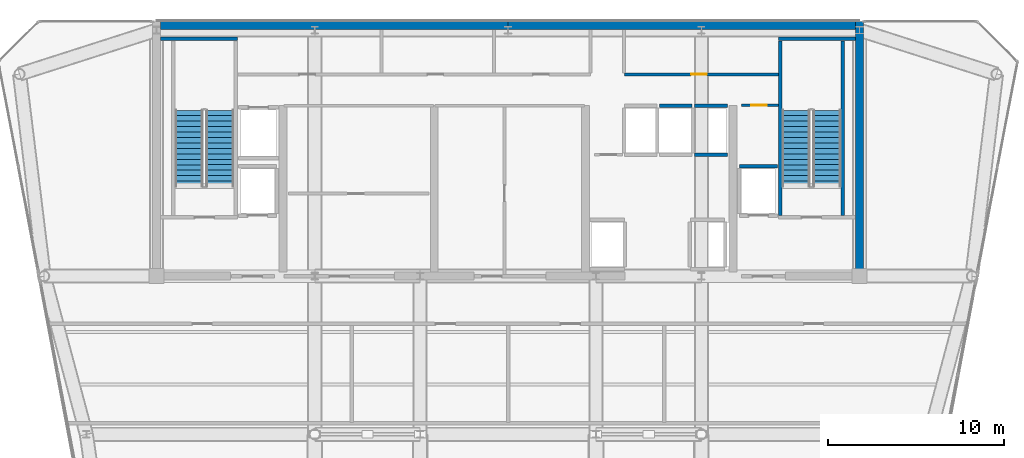
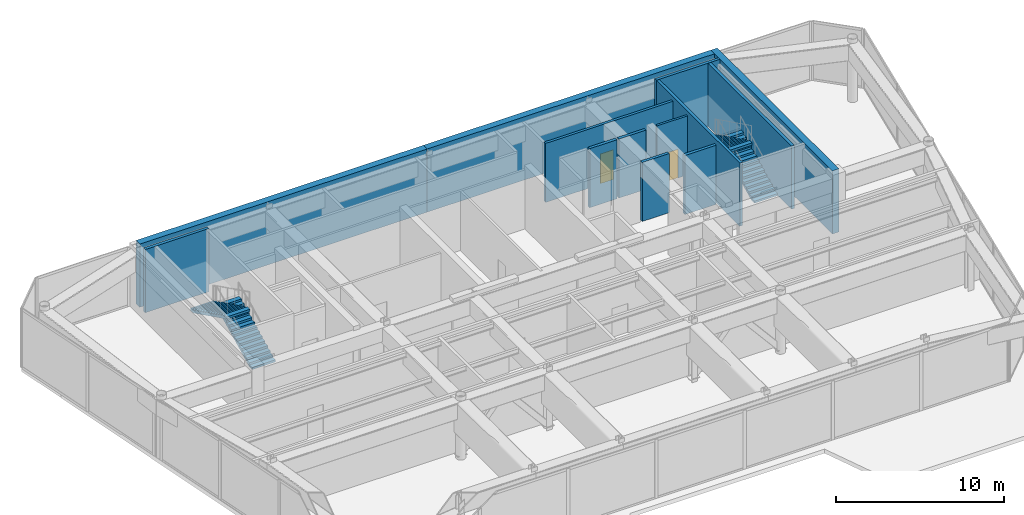
# One storey, part 11 of 14: 13 walls, 4 stair flights, 2 doors, 2 openings, 2 elements without a shape of their own.
"""IFC4 building model written with IfcOpenShell, lengths in metres."""

from ifc_helpers import new_model, si_unit, direction, frame, frame_2d, origin, place, context, subcontext, project, spatial, polyline, rectangle, outline, extrude, source, transform, mapped, material, layer, layer_set, type_object, element, fill, aggregate, save


model = new_model("IFC4")

# Units and contexts
model_context = context("Model", 3, precision=1e-05, world=origin(), true_north=direction((0.0, 1.0)))
body_context = subcontext(model_context, "Body", "Model", "MODEL_VIEW")
ifc_project = project(units=[si_unit("LENGTHUNIT", "METRE"), si_unit("AREAUNIT", "SQUARE_METRE"), si_unit("VOLUMEUNIT", "CUBIC_METRE"), si_unit("PLANEANGLEUNIT", "RADIAN"), si_unit("MASSUNIT", "GRAM", prefix="KILO")], contexts=[model_context])

# Site, building, storey
site_placement = place(None, origin())
site = spatial("IfcSite", under=ifc_project, at=site_placement, CompositionType="ELEMENT")
building_placement = place(site_placement, origin())
building = spatial("IfcBuilding", under=site, at=building_placement, Name="Vaeldorn Concourse Tower", CompositionType="ELEMENT")
storey_placement = place(building_placement, frame((0.0, 0.0, 303.800048828125)))
storey = spatial("IfcBuildingStorey", under=building, at=storey_placement, Name="L78", CompositionType="ELEMENT", Elevation=303.800048828125)

# Walls
ifc_material_1 = material(Name="Concrete C50/60", Category="concrete")
ifc_layer_1 = layer(ifc_material_1, 0.449951171875)
ifc_layer_set_1 = layer_set([ifc_layer_1], Name="Concrete C50/60")
wall_type_1 = type_object("IfcWallType", Name="WL-CORE-450", PredefinedType="SHEAR", material=ifc_layer_set_1)
for number, where, z_axis, x_axis, name in (
    (1, (14.22900390625, 50.77490234375, 0.0), (0.0, 0.0, 1.0), (1.0, 0.0, 0.0), "Rear Core Shear Wall L78 N1"),
    (2, (34.001953125, 50.77490234375, 0.0), (0.0, 0.0, 1.0), (1.0, 0.0, 0.0), "Rear Core Shear Wall L78 N2"),
):
    element("IfcWall", number, at=place(storey_placement, frame(where, z_axis=z_axis, x_axis=x_axis)), inside=storey, type_object=wall_type_1, Name=name, PredefinedType="SHEAR", context=body_context, shape_type="SweptSolid", body=[
        extrude(rectangle(XDim=19.76904296875, YDim=0.449951171875, at=frame_2d((9.884521484375, 0.0))), origin(), (0.0, 0.0, 1.0), 4.599853515625),
    ])
wall_1_placement = place(storey_placement, frame((54.0, 36.5, 0.0), z_axis=(0.0, 0.0, 1.0), x_axis=(0.0, 1.0, 0.0)))
element("IfcWall", 3, at=wall_1_placement, inside=storey, type_object=wall_type_1, Name="Rear Core Shear Wall L78 E1", PredefinedType="SHEAR", context=body_context, shape_type="SweptSolid", body=[
    extrude(rectangle(XDim=14.5, YDim=0.449951171875, at=frame_2d((7.25, 0.0))), origin(), (0.0, 0.0, 1.0), 4.599853515625),
])

# Wall, opening, door
ifc_material_2 = material(Name="Gypsum Board Partition", Category="gypsum")
ifc_layer_2 = layer(ifc_material_2, 0.14990234375)
ifc_layer_set_2 = layer_set([ifc_layer_2], Name="Gypsum Board Partition")
wall_type_2 = type_object("IfcWallType", Name="WL-PART-150", PredefinedType="PARTITIONING", material=ifc_layer_set_2)
wall_2_placement = place(storey_placement, frame((47.280029296875, 46.219970703125, 0.0), z_axis=(0.0, 0.0, 1.0), x_axis=(1.0, 0.0, 0.0)))
wall_2 = element("IfcWall", 4, at=wall_2_placement, inside=storey, type_object=wall_type_2, Name="Interior Wall CW-L78-CRSE-N", PredefinedType="PARTITIONING", context=body_context, shape_type="SweptSolid", body=[
    extrude(rectangle(XDim=2.099853515625, YDim=0.14990234375, at=frame_2d((1.0498046875, 0.0))), origin(), (0.0, 0.0, 1.0), 4.300048828125),
])
opening_1_placement = place(wall_2_placement, frame((0.550048828125, 0.0, 0.0)))
opening_1 = element("IfcOpeningElement", 5, at=opening_1_placement, cuts=wall_2, Name="Opening D-02", PredefinedType="OPENING", context=body_context, shape_type="SweptSolid", body=[
    extrude(rectangle(XDim=0.89990234375, YDim=2.10009765625, at=frame_2d((0.449951171875, 1.050048828125))), frame((0.0, 0.0849609375, 0.0), z_axis=(0.0, -1.0, 0.0), x_axis=(1.0, 0.0, 0.0)), (0.0, 0.0, 1.0), 0.169921875),
])
ifc_material_3 = material(Name="Fire-Rated Timber Leaf", Category="wood")
door_type_1 = type_object("IfcDoorType", Name="DR-FD30-900", OperationType="NOTDEFINED", PredefinedType="DOOR", material=ifc_material_3)
shared_shape_1 = source(origin(), body_context, "Body", "SweptSolid", [
    extrude(rectangle(XDim=0.89990234375, YDim=2.10009765625, at=frame_2d((0.449951171875, 1.050048828125))), frame((0.0, 0.02490234375, 0.0), z_axis=(0.0, -1.0, 0.0), x_axis=(1.0, 0.0, 0.0)), (0.0, 0.0, 1.0), 0.050048828125),
])
door_1_placement = place(opening_1_placement, origin())
door_1 = element("IfcDoor", 6, at=door_1_placement, inside=storey, type_object=door_type_1, Name="Interior Door DR-L78-CRSE", OperationType="SINGLE_SWING_RIGHT", OverallHeight=2.10009765625, OverallWidth=0.89990234375, PredefinedType="DOOR", context=body_context, shape_type="MappedRepresentation", body=[
    mapped(shared_shape_1, transform((0.0, 0.0, 0.0), scale=1.0)),
])
fill(opening_1, door_1)

ifc_layer_3 = layer(ifc_material_2, 0.179931640625)
ifc_layer_set_3 = layer_set([ifc_layer_3], Name="Gypsum Board Partition")
wall_type_3 = type_object("IfcWallType", Name="WL-PLUMB-180", PredefinedType="PLUMBINGWALL", material=ifc_layer_set_3)
wall_3_placement = place(storey_placement, frame((40.6201171875, 47.97998046875, 0.0), z_axis=(0.0, 0.0, 1.0), x_axis=(1.0, 0.0, 0.0)))
wall_3 = element("IfcWall", 7, at=wall_3_placement, inside=storey, type_object=wall_type_3, Name="Interior Wall CW-L78-NS1E", PredefinedType="PLUMBINGWALL", context=body_context, shape_type="SweptSolid", body=[
    extrude(rectangle(XDim=8.759765625, YDim=0.179931640625, at=frame_2d((4.3798828125, 0.0))), origin(), (0.0, 0.0, 1.0), 4.300048828125),
])
opening_2_placement = place(wall_3_placement, frame((3.800048828125, 0.0, 0.0)))
opening_2 = element("IfcOpeningElement", 8, at=opening_2_placement, cuts=wall_3, Name="Opening D-03", PredefinedType="OPENING", context=body_context, shape_type="SweptSolid", body=[
    extrude(rectangle(XDim=0.89990234375, YDim=2.14990234375, at=frame_2d((0.449951171875, 1.074951171875))), frame((0.0, 0.10009765625, 0.0), z_axis=(0.0, -1.0, 0.0), x_axis=(1.0, 0.0, 0.0)), (0.0, 0.0, 1.0), 0.199951171875),
])
ifc_material_4 = material(Name="Acoustic Bronze-Framed Glass Door", Category="glass")
door_type_2 = type_object("IfcDoorType", Name="DR-INT-900", OperationType="NOTDEFINED", PredefinedType="DOOR", material=ifc_material_4)
shared_shape_2 = source(origin(), body_context, "Body", "SweptSolid", [
    extrude(rectangle(XDim=0.89990234375, YDim=2.14990234375, at=frame_2d((0.449951171875, 1.074951171875))), frame((0.0, 0.02490234375, 0.0), z_axis=(0.0, -1.0, 0.0), x_axis=(1.0, 0.0, 0.0)), (0.0, 0.0, 1.0), 0.050048828125),
])
door_2_placement = place(opening_2_placement, origin())
door_2 = element("IfcDoor", 9, at=door_2_placement, inside=storey, type_object=door_type_2, Name="Interior Door DR-L78-CS4", OperationType="SINGLE_SWING_RIGHT", OverallHeight=2.14990234375, OverallWidth=0.89990234375, PredefinedType="DOOR", context=body_context, shape_type="MappedRepresentation", body=[
    mapped(shared_shape_2, transform((0.0, 0.0, 0.0), scale=1.0)),
])
fill(opening_2, door_2)

# Walls
ifc_layer_4 = layer(ifc_material_1, 0.199951171875)
ifc_layer_set_4 = layer_set([ifc_layer_4], Name="Concrete C50/60")
wall_type_4 = type_object("IfcWallType", Name="WL-SHAFT-200", PredefinedType="SOLIDWALL", material=ifc_layer_set_4)
for number, where, z_axis, x_axis, name in (
    (10, (14.22509765625, 50.0, 0.0), (0.0, 0.0, 1.0), (1.0, 0.0, 0.0), "Stair Shaft Wall CW-L78-ST-1-N"),
    (11, (49.39990234375, 50.0, 0.0), (0.0, 0.0, 1.0), (1.0, 0.0, 0.0), "Stair Shaft Wall CW-L78-ST-2-N"),
):
    element("IfcWall", number, at=place(storey_placement, frame(where, z_axis=z_axis, x_axis=x_axis)), inside=storey, type_object=wall_type_4, Name=name, PredefinedType="SOLIDWALL", context=body_context, shape_type="SweptSolid", body=[
        extrude(rectangle(XDim=4.375, YDim=0.199951171875, at=frame_2d((2.1875, 0.0))), origin(), (0.0, 0.0, 1.0), 4.599853515625),
    ])
for number, where, z_axis, x_axis, name in (
    (12, (49.5, 39.9599609375, 0.0), (0.0, 0.0, 1.0), (0.0, 1.0, 0.0), "Stair Shaft Wall CW-L78-ST-2-W"),
    (13, (53.050048828125, 39.9599609375, 0.0), (0.0, 0.0, 1.0), (0.0, 1.0, 0.0), "Stair Shaft Wall CW-L78-ST-2-E"),
):
    element("IfcWall", number, at=place(storey_placement, frame(where, z_axis=z_axis, x_axis=x_axis)), inside=storey, type_object=wall_type_4, Name=name, PredefinedType="SOLIDWALL", context=body_context, shape_type="SweptSolid", body=[
        extrude(rectangle(XDim=9.929931640625, YDim=0.199951171875, at=frame_2d((4.96484375, 0.0))), origin(), (0.0, 0.0, 1.0), 4.599853515625),
    ])
for number, where, z_axis, x_axis, name in (
    (14, (42.6201171875, 46.199951171875, 0.0), (0.0, 0.0, 1.0), (1.0, 0.0, 0.0), "Interior Wall CW-L78-LFB-LF-16"),
    (15, (44.6201171875, 43.39990234375, 0.0), (0.0, 0.0, 1.0), (1.0, 0.0, 0.0), "Interior Wall CW-L78-LF-LF-17"),
    (16, (44.6201171875, 46.199951171875, 0.0), (0.0, 0.0, 1.0), (1.0, 0.0, 0.0), "Interior Wall CW-L78-LFB-LF-17"),
):
    element("IfcWall", number, at=place(storey_placement, frame(where, z_axis=z_axis, x_axis=x_axis)), inside=storey, type_object=wall_type_4, Name=name, PredefinedType="SOLIDWALL", context=body_context, shape_type="SweptSolid", body=[
        extrude(rectangle(XDim=1.85986328125, YDim=0.199951171875, at=frame_2d((0.929931640625, 0.0))), origin(), (0.0, 0.0, 1.0), 4.300048828125),
    ])
wall_4_placement = place(storey_placement, frame((47.169921875, 42.75, 0.0), z_axis=(0.0, 0.0, 1.0), x_axis=(1.0, 0.0, 0.0)))
element("IfcWall", 17, at=wall_4_placement, inside=storey, type_object=wall_type_4, Name="Interior Wall CW-L78-LFB-LF-FF2", PredefinedType="SOLIDWALL", context=body_context, shape_type="SweptSolid", body=[
    extrude(rectangle(XDim=2.16015625, YDim=0.199951171875, at=frame_2d((1.080078125, 0.0))), origin(), (0.0, 0.0, 1.0), 4.300048828125),
])

# Stair, stair flights
ifc_material_5 = material(Name="Precast concrete C40/50", Category="concrete")
stair_type = type_object("IfcStairType", Name="STR-DOG-30x153", PredefinedType="HALF_TURN_STAIR", material=ifc_material_5)
stair_1_placement = place(storey_placement, origin())
stair_1 = element("IfcStair", 18, at=stair_1_placement, inside=storey, type_object=stair_type, Name="L78 West Core Exit Stair ST-1", PredefinedType="HALF_TURN_STAIR")
stair_flight_type = type_object("IfcStairFlightType", Name="STF-STR-15x153", PredefinedType="STRAIGHT", material=ifc_material_5)
stair_flight_1_placement = place(storey_placement, frame((17.60009765625, 41.60009765625, 0.0), z_axis=(0.0, 0.0, 1.0), x_axis=(0.0, 1.0, 0.0)))
stair_flight_1 = element("IfcStairFlight", 19, at=stair_flight_1_placement, type_object=stair_flight_type, Name="ST-1 flight 1", NumberOfRisers=15, NumberOfTreads=14, PredefinedType="STRAIGHT", RiserHeight=0.153333333, TreadLength=0.31, context=body_context, shape_type="SweptSolid", body=[
    extrude(outline(polyline([(0.0, 0.0), (0.0, 0.1533203125), (0.31005859375, 0.1533203125), (0.31005859375, 0.306640625), (0.6201171875, 0.306640625), (0.6201171875, 0.4599609375), (0.929931640625, 0.4599609375), (0.929931640625, 0.61328125), (1.239990234375, 0.61328125), (1.239990234375, 0.7666015625), (1.550048828125, 0.7666015625), (1.550048828125, 0.919921875), (1.860107421875, 0.919921875), (1.860107421875, 1.0732421875), (2.169921875, 1.0732421875), (2.169921875, 1.2265625), (2.47998046875, 1.2265625), (2.47998046875, 1.3798828125), (2.7900390625, 1.3798828125), (2.7900390625, 1.533447265625), (3.10009765625, 1.533447265625), (3.10009765625, 1.686767578125), (3.409912109375, 1.686767578125), (3.409912109375, 1.840087890625), (3.719970703125, 1.840087890625), (3.719970703125, 1.993408203125), (4.030029296875, 1.993408203125), (4.030029296875, 2.146728515625), (4.340087890625, 2.146728515625), (4.340087890625, 2.300048828125), (4.340087890625, 1.9794921875), (0.338134765625, 0.0), (0.0, 0.0)])), frame((0.0, 0.800048828125, 0.0), z_axis=(0.0, -1.0, 0.0), x_axis=(1.0, 0.0, 0.0)), (0.0, 0.0, 1.0), 1.60009765625),
])
stair_flight_2_placement = place(storey_placement, frame((15.85009765625, 45.93994140625, 2.300048828125), z_axis=(0.0, 0.0, 1.0), x_axis=(0.0, -1.0, 0.0)))
stair_flight_2 = element("IfcStairFlight", 20, at=stair_flight_2_placement, type_object=stair_flight_type, Name="ST-1 flight 2", NumberOfRisers=15, NumberOfTreads=14, PredefinedType="STRAIGHT", RiserHeight=0.153333333, TreadLength=0.31, context=body_context, shape_type="SweptSolid", body=[
    extrude(outline(polyline([(0.0, 0.0), (0.0, 0.1533203125), (0.31005859375, 0.1533203125), (0.31005859375, 0.306640625), (0.6201171875, 0.306640625), (0.6201171875, 0.4599609375), (0.929931640625, 0.4599609375), (0.929931640625, 0.61328125), (1.239990234375, 0.61328125), (1.239990234375, 0.7666015625), (1.550048828125, 0.7666015625), (1.550048828125, 0.919921875), (1.860107421875, 0.919921875), (1.860107421875, 1.0732421875), (2.169921875, 1.0732421875), (2.169921875, 1.2265625), (2.47998046875, 1.2265625), (2.47998046875, 1.3798828125), (2.7900390625, 1.3798828125), (2.7900390625, 1.533447265625), (3.10009765625, 1.533447265625), (3.10009765625, 1.686767578125), (3.409912109375, 1.686767578125), (3.409912109375, 1.840087890625), (3.719970703125, 1.840087890625), (3.719970703125, 1.993408203125), (4.030029296875, 1.993408203125), (4.030029296875, 2.146728515625), (4.340087890625, 2.146728515625), (4.340087890625, 2.300048828125), (4.340087890625, 1.9794921875), (0.338134765625, 0.0), (0.0, 0.0)])), frame((0.0, 0.800048828125, 0.0), z_axis=(0.0, -1.0, 0.0), x_axis=(1.0, 0.0, 0.0)), (0.0, 0.0, 1.0), 1.60009765625),
])
aggregate(stair_1, [stair_flight_1, stair_flight_2])

stair_2_placement = place(storey_placement, origin())
stair_2 = element("IfcStair", 21, at=stair_2_placement, inside=storey, type_object=stair_type, Name="L78 East Core Exit Stair ST-2", PredefinedType="HALF_TURN_STAIR")
stair_flight_3_placement = place(storey_placement, frame((52.14990234375, 41.60009765625, 0.0), z_axis=(0.0, 0.0, 1.0), x_axis=(0.0, 1.0, 0.0)))
stair_flight_3 = element("IfcStairFlight", 22, at=stair_flight_3_placement, type_object=stair_flight_type, Name="ST-2 flight 1", NumberOfRisers=15, NumberOfTreads=14, PredefinedType="STRAIGHT", RiserHeight=0.153333333, TreadLength=0.31, context=body_context, shape_type="SweptSolid", body=[
    extrude(outline(polyline([(0.0, 0.0), (0.0, 0.1533203125), (0.31005859375, 0.1533203125), (0.31005859375, 0.306640625), (0.6201171875, 0.306640625), (0.6201171875, 0.4599609375), (0.929931640625, 0.4599609375), (0.929931640625, 0.61328125), (1.239990234375, 0.61328125), (1.239990234375, 0.7666015625), (1.550048828125, 0.7666015625), (1.550048828125, 0.919921875), (1.860107421875, 0.919921875), (1.860107421875, 1.0732421875), (2.169921875, 1.0732421875), (2.169921875, 1.2265625), (2.47998046875, 1.2265625), (2.47998046875, 1.3798828125), (2.7900390625, 1.3798828125), (2.7900390625, 1.533447265625), (3.10009765625, 1.533447265625), (3.10009765625, 1.686767578125), (3.409912109375, 1.686767578125), (3.409912109375, 1.840087890625), (3.719970703125, 1.840087890625), (3.719970703125, 1.993408203125), (4.030029296875, 1.993408203125), (4.030029296875, 2.146728515625), (4.340087890625, 2.146728515625), (4.340087890625, 2.300048828125), (4.340087890625, 1.9794921875), (0.338134765625, 0.0), (0.0, 0.0)])), frame((0.0, 0.800048828125, 0.0), z_axis=(0.0, -1.0, 0.0), x_axis=(1.0, 0.0, 0.0)), (0.0, 0.0, 1.0), 1.60009765625),
])
stair_flight_4_placement = place(storey_placement, frame((50.39990234375, 45.93994140625, 2.300048828125), z_axis=(0.0, 0.0, 1.0), x_axis=(0.0, -1.0, 0.0)))
stair_flight_4 = element("IfcStairFlight", 23, at=stair_flight_4_placement, type_object=stair_flight_type, Name="ST-2 flight 2", NumberOfRisers=15, NumberOfTreads=14, PredefinedType="STRAIGHT", RiserHeight=0.153333333, TreadLength=0.31, context=body_context, shape_type="SweptSolid", body=[
    extrude(outline(polyline([(0.0, 0.0), (0.0, 0.1533203125), (0.31005859375, 0.1533203125), (0.31005859375, 0.306640625), (0.6201171875, 0.306640625), (0.6201171875, 0.4599609375), (0.929931640625, 0.4599609375), (0.929931640625, 0.61328125), (1.239990234375, 0.61328125), (1.239990234375, 0.7666015625), (1.550048828125, 0.7666015625), (1.550048828125, 0.919921875), (1.860107421875, 0.919921875), (1.860107421875, 1.0732421875), (2.169921875, 1.0732421875), (2.169921875, 1.2265625), (2.47998046875, 1.2265625), (2.47998046875, 1.3798828125), (2.7900390625, 1.3798828125), (2.7900390625, 1.533447265625), (3.10009765625, 1.533447265625), (3.10009765625, 1.686767578125), (3.409912109375, 1.686767578125), (3.409912109375, 1.840087890625), (3.719970703125, 1.840087890625), (3.719970703125, 1.993408203125), (4.030029296875, 1.993408203125), (4.030029296875, 2.146728515625), (4.340087890625, 2.146728515625), (4.340087890625, 2.300048828125), (4.340087890625, 1.9794921875), (0.338134765625, 0.0), (0.0, 0.0)])), frame((0.0, 0.800048828125, 0.0), z_axis=(0.0, -1.0, 0.0), x_axis=(1.0, 0.0, 0.0)), (0.0, 0.0, 1.0), 1.60009765625),
])
aggregate(stair_2, [stair_flight_3, stair_flight_4])

save(model, "model.ifc")
